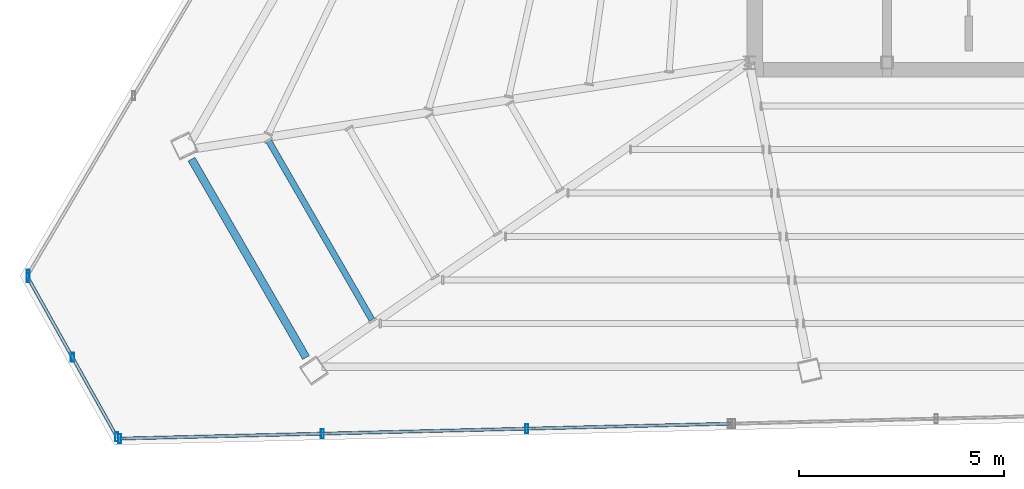
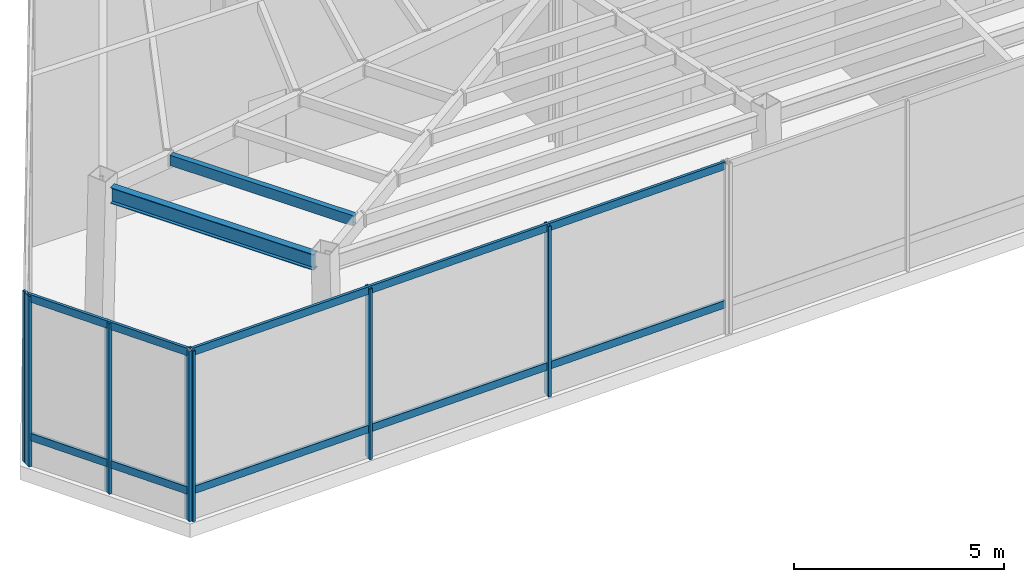
# One storey, part 3 of 25: 11 members, 2 beams, 3 elements without a shape of their own.
"""IFC4 building model written with IfcOpenShell, lengths in metres."""

from ifc_helpers import new_model, si_unit, direction, frame, origin, origin_2d, place, context, subcontext, project, spatial, hollow_rectangle, i_section, extrude, source, transform, mapped, material, material_profile, profile_set, type_object, type_shapes, element, aggregate, save


model = new_model("IFC4")

# Units and contexts
model_context = context("Model", 3, precision=1e-05, world=origin(), true_north=direction((0.0, 1.0)))
body_context = subcontext(model_context, "Body", "Model", "MODEL_VIEW")
ifc_project = project(units=[si_unit("LENGTHUNIT", "METRE"), si_unit("AREAUNIT", "SQUARE_METRE"), si_unit("VOLUMEUNIT", "CUBIC_METRE"), si_unit("PLANEANGLEUNIT", "RADIAN"), si_unit("MASSUNIT", "GRAM", prefix="KILO")], contexts=[model_context])

# Site, building, storey
site_placement = place(None, origin())
site = spatial("IfcSite", under=ifc_project, at=site_placement, CompositionType="ELEMENT")
building_placement = place(site_placement, origin())
building = spatial("IfcBuilding", under=site, at=building_placement, Name="Caelisora Broadcast Tower", CompositionType="ELEMENT")
storey_placement = place(building_placement, frame((0.0, 0.0, 284.60009765625)))
storey = spatial("IfcBuildingStorey", under=building, at=storey_placement, Name="L75", CompositionType="ELEMENT", Elevation=284.60009765625)

# Beams
ifc_material_1 = material(Name="Steel Grade 350 (AS/NZS 3679.1)", Category="steel")
ifc_material_profile_1 = material_profile(ifc_material_1, i_section(OverallWidth=0.19091796875, OverallDepth=0.46044921875, WebThickness=0.010009765625, FlangeThickness=0.01611328125, at=origin_2d()), Name="Steel Grade 350 (AS/NZS 3679.1)")
ifc_profile_set_1 = profile_set([ifc_material_profile_1], Name="Steel Grade 350 (AS/NZS 3679.1)")
beam_type_1 = type_object("IfcBeamType", Name="PG06", PredefinedType="BEAM", material=ifc_profile_set_1)
shared_shape_1 = source(origin(), body_context, "Body", "SweptSolid", [
    extrude(i_section(OverallWidth=0.19091796875, OverallDepth=0.46044921875, WebThickness=0.010009765625, FlangeThickness=0.01611328125, at=origin_2d()), origin(), (0.0, 0.0, 1.0), 5.576171875),
])
type_shapes(beam_type_1, [shared_shape_1])
beam_1_placement = place(storey_placement, frame((16.918212890625, 15.0478515625, 4.7197265625), z_axis=(0.500000383388, -0.866025182435, 0.0), x_axis=(0.866025182435, 0.500000383388, 0.0)))
element("IfcBeam", 1, at=beam_1_placement, inside=storey, type_object=beam_type_1, Name="L75 beam PG06", PredefinedType="BEAM", context=body_context, shape_type="MappedRepresentation", body=[
    mapped(shared_shape_1, transform((0.0, 0.0, 0.0), scale=1.0)),
])
ifc_material_2 = material(Name="Steel Grade 350 (AS/NZS 1163 C350L0)", Category="steel")
ifc_material_profile_2 = material_profile(ifc_material_2, hollow_rectangle(XDim=0.14990234375, YDim=0.300048828125, WallThickness=0.010009765625, at=origin_2d()), Name="Steel Grade 350 (AS/NZS 1163 C350L0)")
ifc_profile_set_2 = profile_set([ifc_material_profile_2], Name="Steel Grade 350 (AS/NZS 1163 C350L0)")
beam_type_2 = type_object("IfcBeamType", Name="SB05", PredefinedType="JOIST", material=ifc_profile_set_2)
shared_shape_2 = source(origin(), body_context, "Body", "SweptSolid", [
    extrude(hollow_rectangle(XDim=0.14990234375, YDim=0.300048828125, WallThickness=0.010009765625, at=origin_2d()), origin(), (0.0, 0.0, 1.0), 5.02392578125),
])
type_shapes(beam_type_2, [shared_shape_2])
beam_2_placement = place(storey_placement, frame((18.799072265625, 15.486572265625, 4.7998046875), z_axis=(0.500001488952, -0.866024544136, 0.0), x_axis=(0.866024544136, 0.500001488952, 0.0)))
element("IfcBeam", 2, at=beam_2_placement, inside=storey, type_object=beam_type_2, Name="L75 beam SB05", PredefinedType="JOIST", context=body_context, shape_type="MappedRepresentation", body=[
    mapped(shared_shape_2, transform((0.0, 0.0, 0.0), scale=1.0)),
])

# Curtain wall, members
ifc_material_3 = material(Name="Unitised Aluminium and Low-E Glass Curtain Wall", Category="glass")
curtain_wall_type = type_object("IfcCurtainWallType", Name="CW-TMD", PredefinedType="NOTDEFINED", material=ifc_material_3)
curtain_wall_1_placement = place(storey_placement, origin())
curtain_wall_1 = element("IfcCurtainWall", 3, at=curtain_wall_1_placement, inside=storey, type_object=curtain_wall_type, Name="L75 curtain wall CW-TMD", PredefinedType="NOTDEFINED")
ifc_material_4 = material(Name="Aluminium 6063-T6 Anodised Terracotta Bronze", Category="aluminium")
ifc_material_profile_3 = material_profile(ifc_material_4, hollow_rectangle(XDim=0.074951171875, YDim=0.219970703125, WallThickness=0.00390625, at=origin_2d()), Name="Aluminium 6063-T6 Anodised Terracotta Bronze")
ifc_profile_set_3 = profile_set([ifc_material_profile_3], Name="Aluminium 6063-T6 Anodised Terracotta Bronze")
member_type_1 = type_object("IfcMemberType", Name="CWM-01", PredefinedType="MULLION", material=ifc_profile_set_3)
shared_shape_3 = source(origin(), body_context, "Body", "SweptSolid", [
    extrude(hollow_rectangle(XDim=0.074951171875, YDim=0.219970703125, WallThickness=0.00390625, at=origin_2d()), origin(), (0.0, 0.0, 1.0), 4.949951171875),
])
type_shapes(member_type_1, [shared_shape_3])
member_1_placement = place(storey_placement, frame((25.083251953125, 8.487060546875, 0.0), z_axis=(0.0, 0.0, 1.0), x_axis=(1.0, 0.0, 0.0)))
member_1 = element("IfcMember", 4, at=member_1_placement, type_object=member_type_1, Name="L75-CW-B07 mullion #1", PredefinedType="MULLION", context=body_context, shape_type="MappedRepresentation", body=[
    mapped(shared_shape_3, transform((0.0, 0.0, 0.0), scale=1.0)),
])
member_2_placement = place(storey_placement, frame((20.103759765625, 8.365478515625, 0.0), z_axis=(0.0, 0.0, 1.0), x_axis=(1.0, 0.0, 0.0)))
member_2 = element("IfcMember", 5, at=member_2_placement, type_object=member_type_1, Name="L75-CW-B07 mullion #2", PredefinedType="MULLION", context=body_context, shape_type="MappedRepresentation", body=[
    mapped(shared_shape_3, transform((0.0, 0.0, 0.0), scale=1.0)),
])
member_3_placement = place(storey_placement, frame((15.174072265625, 8.2451171875, 0.0), z_axis=(0.0, 0.0, 1.0), x_axis=(1.0, 0.0, 0.0)))
member_3 = element("IfcMember", 6, at=member_3_placement, type_object=member_type_1, Name="L75-CW-B07 mullion #3", PredefinedType="MULLION", context=body_context, shape_type="MappedRepresentation", body=[
    mapped(shared_shape_3, transform((0.0, 0.0, 0.0), scale=1.0)),
])

curtain_wall_2_placement = place(storey_placement, origin())
curtain_wall_2 = element("IfcCurtainWall", 7, at=curtain_wall_2_placement, inside=storey, type_object=curtain_wall_type, Name="L75 curtain wall CW-TMD", PredefinedType="NOTDEFINED")
member_4_placement = place(storey_placement, frame((15.099609375, 8.28759765625, 0.0), z_axis=(0.0, 0.0, 1.0), x_axis=(1.0, 0.0, 0.0)))
member_4 = element("IfcMember", 8, at=member_4_placement, type_object=member_type_1, Name="L75-CW-B04 mullion #0", PredefinedType="MULLION", context=body_context, shape_type="MappedRepresentation", body=[
    mapped(shared_shape_3, transform((0.0, 0.0, 0.0), scale=1.0)),
])
member_5_placement = place(storey_placement, frame((14.01953125, 10.222412109375, 0.0), z_axis=(0.0, 0.0, 1.0), x_axis=(1.0, 0.0, 0.0)))
member_5 = element("IfcMember", 9, at=member_5_placement, type_object=member_type_1, Name="L75-CW-B04 mullion #1", PredefinedType="MULLION", context=body_context, shape_type="MappedRepresentation", body=[
    mapped(shared_shape_3, transform((0.0, 0.0, 0.0), scale=1.0)),
])
member_6_placement = place(storey_placement, frame((12.939453125, 12.1572265625, 0.0), z_axis=(0.0, 0.0, 1.0), x_axis=(1.0, 0.0, 0.0)))
member_6 = element("IfcMember", 10, at=member_6_placement, type_object=member_type_1, Name="L75-CW-B04 mullion #2", PredefinedType="MULLION", context=body_context, shape_type="MappedRepresentation", body=[
    mapped(shared_shape_3, transform((0.0, 0.0, 0.0), scale=1.0)),
])

# Curtain wall, member
curtain_wall_3_placement = place(storey_placement, origin())
curtain_wall_3 = element("IfcCurtainWall", 11, at=curtain_wall_3_placement, inside=storey, type_object=curtain_wall_type, Name="L75 curtain wall CW-TMD", PredefinedType="NOTDEFINED")
member_7_placement = place(storey_placement, frame((12.9404296875, 12.243896484375, 0.0), z_axis=(0.0, 0.0, 1.0), x_axis=(1.0, 0.0, 0.0)))
member_7 = element("IfcMember", 12, at=member_7_placement, type_object=member_type_1, Name="L75-CW-B09 mullion #0", PredefinedType="MULLION", context=body_context, shape_type="MappedRepresentation", body=[
    mapped(shared_shape_3, transform((0.0, 0.0, 0.0), scale=1.0)),
])
aggregate(curtain_wall_3, [member_7])

# Member
ifc_material_profile_4 = material_profile(ifc_material_4, hollow_rectangle(XDim=0.074951171875, YDim=0.219970703125, WallThickness=0.00390625, at=origin_2d()), Name="Aluminium 6063-T6 Anodised Terracotta Bronze")
ifc_profile_set_4 = profile_set([ifc_material_profile_4], Name="Aluminium 6063-T6 Anodised Terracotta Bronze")
member_type_2 = type_object("IfcMemberType", Name="CWT-04", PredefinedType="USERDEFINED", material=ifc_profile_set_4)
shared_shape_4 = source(origin(), body_context, "Body", "SweptSolid", [
    extrude(hollow_rectangle(XDim=0.074951171875, YDim=0.219970703125, WallThickness=0.00390625, at=origin_2d()), origin(), (0.0, 0.0, 1.0), 14.84326171875),
])
member_8_placement = place(storey_placement, frame((30.012939453125, 8.607421875, 0.849853515625), z_axis=(-0.999702064473, -0.02440865192, 0.0), x_axis=(0.02440865192, -0.999702064473, 0.0)))
member_8 = element("IfcMember", 13, at=member_8_placement, type_object=member_type_2, Name="L75-CW-B07 transom #1", ObjectType="TRANSOM", PredefinedType="USERDEFINED", context=body_context, shape_type="MappedRepresentation", body=[
    mapped(shared_shape_4, transform((0.0, 0.0, 0.0), scale=1.0)),
])

member_9_placement = place(storey_placement, frame((30.012939453125, 8.607421875, 4.869873046875), z_axis=(-0.999702064473, -0.02440865192, 0.0), x_axis=(0.02440865192, -0.999702064473, 0.0)))
member_9 = element("IfcMember", 14, at=member_9_placement, type_object=member_type_2, Name="L75-CW-B07 transom #2", ObjectType="TRANSOM", PredefinedType="USERDEFINED", context=body_context, shape_type="MappedRepresentation", body=[
    mapped(shared_shape_4, transform((0.0, 0.0, 0.0), scale=1.0)),
])

aggregate(curtain_wall_1, [member_1, member_2, member_3, member_8, member_9])

shared_shape_5 = source(origin(), body_context, "Body", "SweptSolid", [
    extrude(hollow_rectangle(XDim=0.074951171875, YDim=0.219970703125, WallThickness=0.00390625, at=origin_2d()), origin(), (0.0, 0.0, 1.0), 4.431640625),
])
type_shapes(member_type_2, [shared_shape_4, shared_shape_5])
member_10_placement = place(storey_placement, frame((15.099609375, 8.28759765625, 0.849853515625), z_axis=(-0.487428675665, 0.873162806205, 0.0), x_axis=(-0.873162806205, -0.487428675665, 0.0)))
member_10 = element("IfcMember", 15, at=member_10_placement, type_object=member_type_2, Name="L75-CW-B04 transom #1", ObjectType="TRANSOM", PredefinedType="USERDEFINED", context=body_context, shape_type="MappedRepresentation", body=[
    mapped(shared_shape_5, transform((0.0, 0.0, 0.0), scale=1.0)),
])

member_11_placement = place(storey_placement, frame((15.099609375, 8.28759765625, 4.869873046875), z_axis=(-0.487428675665, 0.873162806205, 0.0), x_axis=(-0.873162806205, -0.487428675665, 0.0)))
member_11 = element("IfcMember", 16, at=member_11_placement, type_object=member_type_2, Name="L75-CW-B04 transom #2", ObjectType="TRANSOM", PredefinedType="USERDEFINED", context=body_context, shape_type="MappedRepresentation", body=[
    mapped(shared_shape_5, transform((0.0, 0.0, 0.0), scale=1.0)),
])

aggregate(curtain_wall_2, [member_4, member_5, member_6, member_10, member_11])

save(model, "model.ifc")
